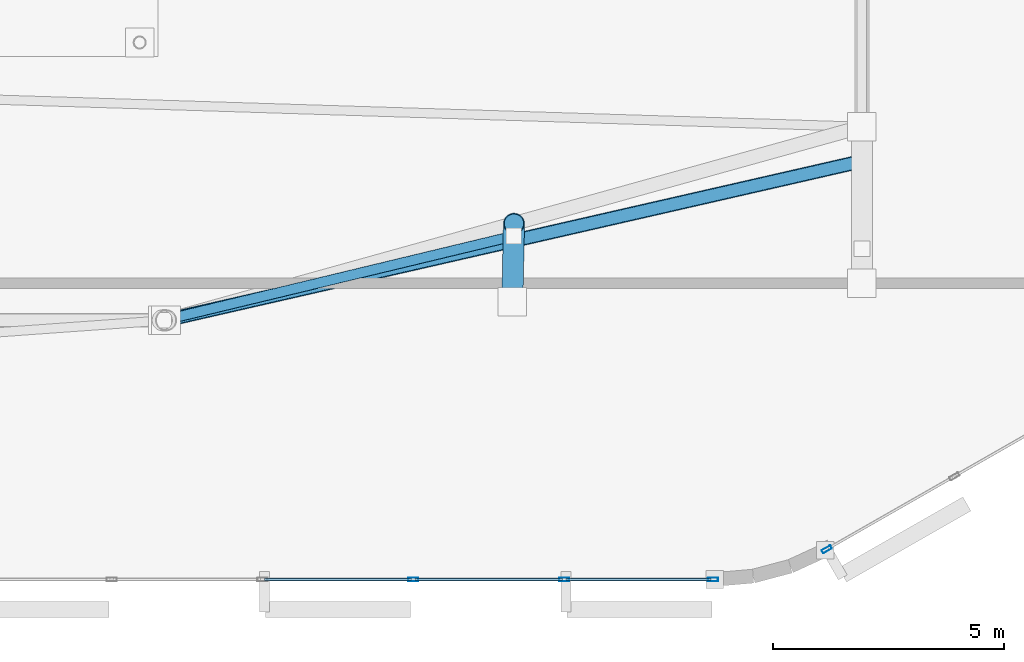
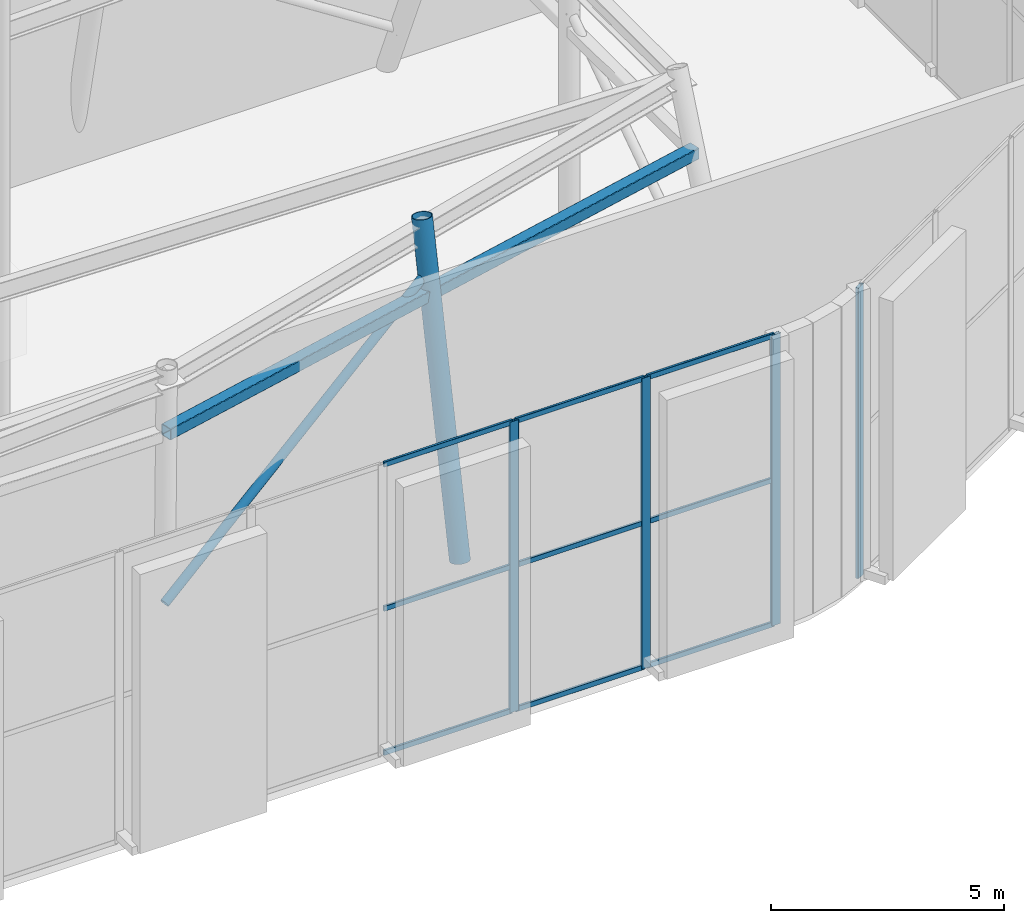
# One storey, part 11 of 22: 16 members, 2 elements without a shape of their own.
"""IFC4 building model written with IfcOpenShell, lengths in metres."""

from ifc_helpers import new_model, si_unit, direction, frame, origin, origin_2d, place, context, subcontext, project, spatial, hollow_rectangle, hollow_circle, extrude, material, layer, layer_set, material_profile, profile_set, type_object, element, aggregate, save


model = new_model("IFC4")

# Units and contexts
model_context = context("Model", 3, precision=1e-05, world=origin(), true_north=direction((0.0, 1.0)))
body_context = subcontext(model_context, "Body", "Model", "MODEL_VIEW")
ifc_project = project(units=[si_unit("LENGTHUNIT", "METRE"), si_unit("AREAUNIT", "SQUARE_METRE"), si_unit("VOLUMEUNIT", "CUBIC_METRE"), si_unit("PLANEANGLEUNIT", "RADIAN"), si_unit("MASSUNIT", "GRAM", prefix="KILO")], contexts=[model_context])

# Site, building, storey
site_placement = place(None, origin())
site = spatial("IfcSite", under=ifc_project, at=site_placement, CompositionType="ELEMENT")
building_placement = place(site_placement, origin())
building = spatial("IfcBuilding", under=site, at=building_placement, Name="An Khanh Terracotta Commons", CompositionType="ELEMENT")
storey_placement = place(building_placement, frame((0.0, 0.0, 300.39990234375)))
storey = spatial("IfcBuildingStorey", under=building, at=storey_placement, Name="L78 Crown Damper Chamber", CompositionType="ELEMENT", Elevation=300.39990234375)

# Members
ifc_material_1 = material(Name="Steel S460ML", Category="steel")
ifc_material_profile_1 = material_profile(ifc_material_1, hollow_circle(Radius=0.109619140625, WallThickness=0.010009765625, at=origin_2d()), Name="CHS219.1x10")
ifc_profile_set_1 = profile_set([ifc_material_profile_1], Name="Steel S460ML")
member_type_1 = type_object("IfcMemberType", Name="CROWN FRAME BRACE CHS219", PredefinedType="BRACE", material=ifc_profile_set_1)
member_1_placement = place(storey_placement, frame((48.31396484375, 15.199951171875, 1.302978515625), z_axis=(0.820698599975, 0.197453948971, 0.5361583218), x_axis=(-0.23391762735, 0.972256418655, 0.0)))
element("IfcMember", 1, at=member_1_placement, inside=storey, type_object=member_type_1, Name="L78 Crown Damper Chamber CROWN FRAME Wind Diagonal 2", PredefinedType="BRACE", context=body_context, shape_type="SweptSolid", body=[
    extrude(hollow_circle(Radius=0.109619140625, WallThickness=0.010009765625, at=origin_2d()), origin(), (0.0, 0.0, 1.0), 9.2177734375),
])
ifc_material_profile_2 = material_profile(ifc_material_1, hollow_circle(Radius=0.228515625, WallThickness=0.02001953125, at=origin_2d()), Name="CHS457x20")
ifc_profile_set_2 = profile_set([ifc_material_profile_2], Name="Steel S460ML")
member_type_2 = type_object("IfcMemberType", Name="CROWN FRAME RIB CHS457", PredefinedType="STRUT", material=ifc_profile_set_2)
member_2_placement = place(storey_placement, frame((55.84912109375, 15.60009765625, -0.449951171875), z_axis=(0.00440500635, 0.207424856847, 0.978241036085), x_axis=(-0.999774578873, 0.021231849624, 0.0)))
element("IfcMember", 2, at=member_2_placement, inside=storey, type_object=member_type_2, Name="L78 Crown Damper Chamber CROWN FRAME Facet Strut 2", PredefinedType="STRUT", context=body_context, shape_type="SweptSolid", body=[
    extrude(hollow_circle(Radius=0.228515625, WallThickness=0.02001953125, at=origin_2d()), origin(), (0.0, 0.0, 1.0), 8.147216796875),
])
ifc_material_profile_3 = material_profile(ifc_material_1, hollow_rectangle(XDim=0.300048828125, YDim=0.300048828125, WallThickness=0.01611328125, InnerFilletRadius=0.01611328125, OuterFilletRadius=0.031982421875, at=origin_2d()), Name="SHS300x300x16")
ifc_profile_set_3 = profile_set([ifc_material_profile_3], Name="Steel S460ML")
member_type_3 = type_object("IfcMemberType", Name="CROWN FRAME RING SHS300", PredefinedType="CHORD", material=ifc_profile_set_3)
member_3_placement = place(storey_placement, frame((48.35400390625, 15.199951171875, 5.76708984375), z_axis=(0.974901098527, 0.222638379644, 0.0), x_axis=(-0.222638379644, 0.974901098527, 0.0)))
element("IfcMember", 3, at=member_3_placement, inside=storey, type_object=member_type_3, Name="L78 Crown Damper Chamber CROWN FRAME Sill Ring Chord 2", PredefinedType="CHORD", context=body_context, shape_type="SweptSolid", body=[
    extrude(hollow_rectangle(XDim=0.300048828125, YDim=0.300048828125, WallThickness=0.01611328125, InnerFilletRadius=0.01611328125, OuterFilletRadius=0.031982421875, at=origin_2d()), origin(), (0.0, 0.0, 1.0), 15.433349609375),
])

# Curtain wall, members
ifc_material_2 = material(Name="Anodised Aluminium 6063-T6", Category="aluminium")
ifc_layer = layer(ifc_material_2, 0.25, Name="Anodised Aluminium 6063-T6")
ifc_layer_set = layer_set([ifc_layer], Name="Anodised Aluminium 6063-T6")
curtain_wall_type = type_object("IfcCurtainWallType", Name="CW-SYS-05", PredefinedType="USERDEFINED", material=ifc_layer_set)
curtain_wall_1_placement = place(storey_placement, origin())
curtain_wall_1 = element("IfcCurtainWall", 4, at=curtain_wall_1_placement, inside=storey, type_object=curtain_wall_type, Name="L78 Crown Damper Chamber CW-05 Unitised Curtain Wall CW-L78-04", ObjectType="UNITISED CURTAIN WALL", PredefinedType="USERDEFINED")
ifc_material_profile_4 = material_profile(ifc_material_2, hollow_rectangle(XDim=0.080078125, YDim=0.219970703125, WallThickness=0.0048828125, InnerFilletRadius=0.0048828125, OuterFilletRadius=0.010009765625, at=origin_2d()), Name="RHS220x80x5")
ifc_profile_set_4 = profile_set([ifc_material_profile_4], Name="Anodised Aluminium 6063-T6")
member_type_4 = type_object("IfcMemberType", Name="CWM-RHS220x80x5", PredefinedType="MULLION", material=ifc_profile_set_4)
member_4_placement = place(storey_placement, frame((53.71142578125, 9.60009765625, 0.0), z_axis=(0.0, 0.0, 1.0), x_axis=(0.0, 1.0, 0.0)))
member_4 = element("IfcMember", 5, at=member_4_placement, type_object=member_type_4, Name="CW-05 mullion 10", PredefinedType="MULLION", context=body_context, shape_type="SweptSolid", body=[
    extrude(hollow_rectangle(XDim=0.080078125, YDim=0.219970703125, WallThickness=0.0048828125, InnerFilletRadius=0.0048828125, OuterFilletRadius=0.010009765625, at=origin_2d()), origin(), (0.0, 0.0, 1.0), 7.60009765625),
])
member_5_placement = place(storey_placement, frame((56.96826171875, 9.60009765625, 0.0), z_axis=(0.0, 0.0, 1.0), x_axis=(0.0, 1.0, 0.0)))
member_5 = element("IfcMember", 6, at=member_5_placement, type_object=member_type_4, Name="CW-05 mullion 11", PredefinedType="MULLION", context=body_context, shape_type="SweptSolid", body=[
    extrude(hollow_rectangle(XDim=0.080078125, YDim=0.219970703125, WallThickness=0.0048828125, InnerFilletRadius=0.0048828125, OuterFilletRadius=0.010009765625, at=origin_2d()), origin(), (0.0, 0.0, 1.0), 7.60009765625),
])
member_6_placement = place(storey_placement, frame((60.18505859375, 9.60009765625, 0.0), z_axis=(0.0, 0.0, 1.0), x_axis=(0.0, 1.0, 0.0)))
member_6 = element("IfcMember", 7, at=member_6_placement, type_object=member_type_4, Name="CW-05 mullion 12", PredefinedType="MULLION", context=body_context, shape_type="SweptSolid", body=[
    extrude(hollow_rectangle(XDim=0.080078125, YDim=0.219970703125, WallThickness=0.0048828125, InnerFilletRadius=0.0048828125, OuterFilletRadius=0.010009765625, at=origin_2d()), origin(), (0.0, 0.0, 1.0), 7.60009765625),
])

# Curtain wall, member
curtain_wall_2_placement = place(storey_placement, origin())
curtain_wall_2 = element("IfcCurtainWall", 8, at=curtain_wall_2_placement, inside=storey, type_object=curtain_wall_type, Name="L78 Crown Damper Chamber CW-05 Unitised Curtain Wall CW-L78-08", ObjectType="UNITISED CURTAIN WALL", PredefinedType="USERDEFINED")
member_7_placement = place(storey_placement, frame((62.641845703125, 10.251953125, 0.0), z_axis=(0.0, 0.0, 1.0), x_axis=(-0.496205929228, 0.868204858198, 0.0)))
member_7 = element("IfcMember", 9, at=member_7_placement, type_object=member_type_4, Name="CW-05 mullion 1", PredefinedType="MULLION", context=body_context, shape_type="SweptSolid", body=[
    extrude(hollow_rectangle(XDim=0.080078125, YDim=0.219970703125, WallThickness=0.0048828125, InnerFilletRadius=0.0048828125, OuterFilletRadius=0.010009765625, at=origin_2d()), origin(), (0.0, 0.0, 1.0), 7.60009765625),
])
aggregate(curtain_wall_2, [member_7])

# Member
ifc_material_profile_5 = material_profile(ifc_material_2, hollow_rectangle(XDim=0.06005859375, YDim=0.135009765625, WallThickness=0.003662109375, InnerFilletRadius=0.003662109375, OuterFilletRadius=0.007080078125, at=origin_2d()), Name="RHS135x60x3.6")
ifc_profile_set_5 = profile_set([ifc_material_profile_5], Name="Anodised Aluminium 6063-T6")
member_type_5 = type_object("IfcMemberType", Name="CWT-RHS135x60x3.6", PredefinedType="USERDEFINED", material=ifc_profile_set_5)
member_8_placement = place(storey_placement, frame((50.49462890625, 9.60009765625, 0.030029296875), z_axis=(1.0, 0.0, 0.0), x_axis=(0.0, 1.0, 0.0)))
member_8 = element("IfcMember", 10, at=member_8_placement, type_object=member_type_5, Name="CW-05 transom 9.1", ObjectType="TRANSOM", PredefinedType="USERDEFINED", context=body_context, shape_type="SweptSolid", body=[
    extrude(hollow_rectangle(XDim=0.06005859375, YDim=0.135009765625, WallThickness=0.003662109375, InnerFilletRadius=0.003662109375, OuterFilletRadius=0.007080078125, at=origin_2d()), origin(), (0.0, 0.0, 1.0), 3.1767578125),
])

member_9_placement = place(storey_placement, frame((50.49462890625, 9.60009765625, 3.800048828125), z_axis=(1.0, 0.0, 0.0), x_axis=(0.0, 1.0, 0.0)))
member_9 = element("IfcMember", 11, at=member_9_placement, type_object=member_type_5, Name="CW-05 transom 9.2", ObjectType="TRANSOM", PredefinedType="USERDEFINED", context=body_context, shape_type="SweptSolid", body=[
    extrude(hollow_rectangle(XDim=0.06005859375, YDim=0.135009765625, WallThickness=0.003662109375, InnerFilletRadius=0.003662109375, OuterFilletRadius=0.007080078125, at=origin_2d()), origin(), (0.0, 0.0, 1.0), 3.1767578125),
])

member_10_placement = place(storey_placement, frame((50.49462890625, 9.60009765625, 7.570068359375), z_axis=(1.0, 0.0, 0.0), x_axis=(0.0, 1.0, 0.0)))
member_10 = element("IfcMember", 12, at=member_10_placement, type_object=member_type_5, Name="CW-05 transom 9.3", ObjectType="TRANSOM", PredefinedType="USERDEFINED", context=body_context, shape_type="SweptSolid", body=[
    extrude(hollow_rectangle(XDim=0.06005859375, YDim=0.135009765625, WallThickness=0.003662109375, InnerFilletRadius=0.003662109375, OuterFilletRadius=0.007080078125, at=origin_2d()), origin(), (0.0, 0.0, 1.0), 3.1767578125),
])

member_11_placement = place(storey_placement, frame((53.75146484375, 9.60009765625, 0.030029296875), z_axis=(1.0, 0.0, 0.0), x_axis=(0.0, 1.0, 0.0)))
member_11 = element("IfcMember", 13, at=member_11_placement, type_object=member_type_5, Name="CW-05 transom 10.1", ObjectType="TRANSOM", PredefinedType="USERDEFINED", context=body_context, shape_type="SweptSolid", body=[
    extrude(hollow_rectangle(XDim=0.06005859375, YDim=0.135009765625, WallThickness=0.003662109375, InnerFilletRadius=0.003662109375, OuterFilletRadius=0.007080078125, at=origin_2d()), origin(), (0.0, 0.0, 1.0), 3.1767578125),
])

member_12_placement = place(storey_placement, frame((53.75146484375, 9.60009765625, 3.800048828125), z_axis=(1.0, 0.0, 0.0), x_axis=(0.0, 1.0, 0.0)))
member_12 = element("IfcMember", 14, at=member_12_placement, type_object=member_type_5, Name="CW-05 transom 10.2", ObjectType="TRANSOM", PredefinedType="USERDEFINED", context=body_context, shape_type="SweptSolid", body=[
    extrude(hollow_rectangle(XDim=0.06005859375, YDim=0.135009765625, WallThickness=0.003662109375, InnerFilletRadius=0.003662109375, OuterFilletRadius=0.007080078125, at=origin_2d()), origin(), (0.0, 0.0, 1.0), 3.1767578125),
])

member_13_placement = place(storey_placement, frame((53.75146484375, 9.60009765625, 7.570068359375), z_axis=(1.0, 0.0, 0.0), x_axis=(0.0, 1.0, 0.0)))
member_13 = element("IfcMember", 15, at=member_13_placement, type_object=member_type_5, Name="CW-05 transom 10.3", ObjectType="TRANSOM", PredefinedType="USERDEFINED", context=body_context, shape_type="SweptSolid", body=[
    extrude(hollow_rectangle(XDim=0.06005859375, YDim=0.135009765625, WallThickness=0.003662109375, InnerFilletRadius=0.003662109375, OuterFilletRadius=0.007080078125, at=origin_2d()), origin(), (0.0, 0.0, 1.0), 3.1767578125),
])

member_14_placement = place(storey_placement, frame((57.00830078125, 9.60009765625, 0.030029296875), z_axis=(1.0, 0.0, 0.0), x_axis=(0.0, 1.0, 0.0)))
member_14 = element("IfcMember", 16, at=member_14_placement, type_object=member_type_5, Name="CW-05 transom 11.1", ObjectType="TRANSOM", PredefinedType="USERDEFINED", context=body_context, shape_type="SweptSolid", body=[
    extrude(hollow_rectangle(XDim=0.06005859375, YDim=0.135009765625, WallThickness=0.003662109375, InnerFilletRadius=0.003662109375, OuterFilletRadius=0.007080078125, at=origin_2d()), origin(), (0.0, 0.0, 1.0), 3.13671875),
])

member_15_placement = place(storey_placement, frame((57.00830078125, 9.60009765625, 3.800048828125), z_axis=(1.0, 0.0, 0.0), x_axis=(0.0, 1.0, 0.0)))
member_15 = element("IfcMember", 17, at=member_15_placement, type_object=member_type_5, Name="CW-05 transom 11.2", ObjectType="TRANSOM", PredefinedType="USERDEFINED", context=body_context, shape_type="SweptSolid", body=[
    extrude(hollow_rectangle(XDim=0.06005859375, YDim=0.135009765625, WallThickness=0.003662109375, InnerFilletRadius=0.003662109375, OuterFilletRadius=0.007080078125, at=origin_2d()), origin(), (0.0, 0.0, 1.0), 3.13671875),
])

member_16_placement = place(storey_placement, frame((57.00830078125, 9.60009765625, 7.570068359375), z_axis=(1.0, 0.0, 0.0), x_axis=(0.0, 1.0, 0.0)))
member_16 = element("IfcMember", 18, at=member_16_placement, type_object=member_type_5, Name="CW-05 transom 11.3", ObjectType="TRANSOM", PredefinedType="USERDEFINED", context=body_context, shape_type="SweptSolid", body=[
    extrude(hollow_rectangle(XDim=0.06005859375, YDim=0.135009765625, WallThickness=0.003662109375, InnerFilletRadius=0.003662109375, OuterFilletRadius=0.007080078125, at=origin_2d()), origin(), (0.0, 0.0, 1.0), 3.13671875),
])

aggregate(curtain_wall_1, [member_4, member_5, member_6, member_8, member_9, member_10, member_11, member_12, member_13, member_14, member_15, member_16])

save(model, "model.ifc")
